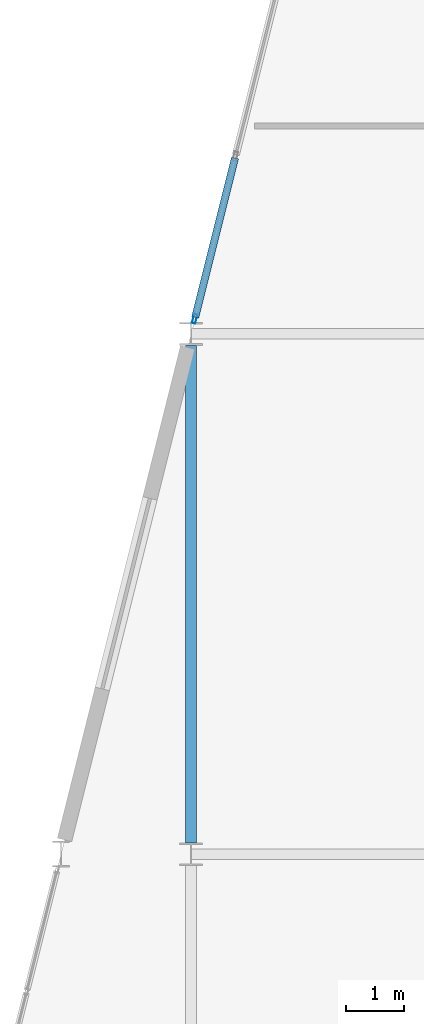
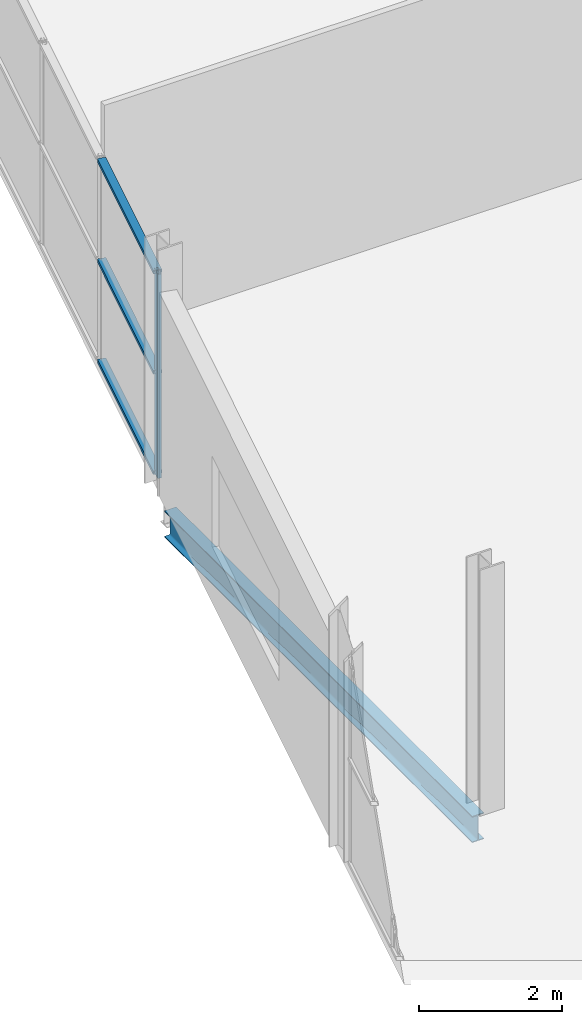
# One storey, part 16 of 88: 4 members, 1 beam, 1 element without a shape of its own.
"""IFC4 building model written with IfcOpenShell, lengths in metres."""

from ifc_helpers import new_model, si_unit, direction, frame, origin, origin_2d, place, context, subcontext, project, spatial, hollow_rectangle, i_section, extrude, material, layer, layer_set, material_profile, profile_set, type_object, element, aggregate, save


model = new_model("IFC4")

# Units and contexts
model_context = context("Model", 3, precision=1e-05, world=origin(), true_north=direction((0.0, 1.0)))
body_context = subcontext(model_context, "Body", "Model", "MODEL_VIEW")
ifc_project = project(units=[si_unit("LENGTHUNIT", "METRE"), si_unit("AREAUNIT", "SQUARE_METRE"), si_unit("VOLUMEUNIT", "CUBIC_METRE"), si_unit("PLANEANGLEUNIT", "RADIAN"), si_unit("MASSUNIT", "GRAM", prefix="KILO")], contexts=[model_context])

# Site, building, storey
site_placement = place(None, origin())
site = spatial("IfcSite", under=ifc_project, at=site_placement, CompositionType="ELEMENT")
building_placement = place(site_placement, origin())
building = spatial("IfcBuilding", under=site, at=building_placement, Name="Deido Ridge Mobility Hub", CompositionType="ELEMENT")
storey_placement = place(building_placement, frame((0.0, 0.0, 16.800048828125)))
storey = spatial("IfcBuildingStorey", under=building, at=storey_placement, Name="L04", CompositionType="ELEMENT", Elevation=16.800048828125)

# Beam
ifc_material_1 = material(Name="Steel S355J2 EN 10025-2", Category="steel")
ifc_material_profile_1 = material_profile(ifc_material_1, i_section(OverallWidth=0.18994140625, OverallDepth=0.449951171875, WebThickness=0.009521484375, FlangeThickness=0.0146484375, FilletRadius=0.02099609375, at=origin_2d()), Name="IPE 450")
ifc_profile_set_1 = profile_set([ifc_material_profile_1], Name="Steel S355J2 EN 10025-2")
beam_type = type_object("IfcBeamType", Name="BM-IPE450", PredefinedType="BEAM", material=ifc_profile_set_1)
beam_placement = place(storey_placement, frame((126.0, 9.196533203125, -0.5), z_axis=(0.0, 1.0, 0.0), x_axis=(-1.0, 0.0, 0.0)))
element("IfcBeam", 1, at=beam_placement, inside=storey, type_object=beam_type, Name="Floor beam B4", PredefinedType="BEAM", context=body_context, shape_type="SweptSolid", body=[
    extrude(i_section(OverallWidth=0.18994140625, OverallDepth=0.449951171875, WebThickness=0.009521484375, FlangeThickness=0.0146484375, FilletRadius=0.02099609375, at=origin_2d()), origin(), (0.0, 0.0, 1.0), 8.60693359375),
])

# Curtain wall, members
ifc_material_2 = material(Name="Anodised aluminium EN AW-6063 T6", Category="aluminium")
ifc_layer = layer(ifc_material_2, 0.2099609375, Name="Anodised aluminium EN AW-6063 T6")
ifc_layer_set = layer_set([ifc_layer], Name="Anodised aluminium EN AW-6063 T6")
curtain_wall_type = type_object("IfcCurtainWallType", Name="CW-UF-4", PredefinedType="USERDEFINED", material=ifc_layer_set)
curtain_wall_placement = place(storey_placement, origin())
curtain_wall = element("IfcCurtainWall", 2, at=curtain_wall_placement, inside=storey, type_object=curtain_wall_type, Name="Unitised curtain wall CW4", ObjectType="UNITISED FACADE", PredefinedType="USERDEFINED")
ifc_material_profile_2 = material_profile(ifc_material_2, hollow_rectangle(XDim=0.06005859375, YDim=0.159912109375, WallThickness=0.00390625, at=origin_2d()), Name="RHS 60x160x4")
ifc_profile_set_2 = profile_set([ifc_material_profile_2], Name="Anodised aluminium EN AW-6063 T6")
member_type_1 = type_object("IfcMemberType", Name="MEM-MUL-60X160", PredefinedType="MULLION", material=ifc_profile_set_2)
member_1_placement = place(storey_placement, frame((126.065185546875, 18.260986328125, 0.0), z_axis=(0.0, 0.0, 1.0), x_axis=(-0.97014383958, 0.242530267235, 0.0)))
member_1 = element("IfcMember", 3, at=member_1_placement, type_object=member_type_1, Name="CW4 mullion 1", PredefinedType="MULLION", context=body_context, shape_type="SweptSolid", body=[
    extrude(hollow_rectangle(XDim=0.06005859375, YDim=0.159912109375, WallThickness=0.00390625, at=origin_2d()), origin(), (0.0, 0.0, 1.0), 3.48486328125),
])
ifc_material_profile_3 = material_profile(ifc_material_2, hollow_rectangle(XDim=0.125, YDim=0.06005859375, WallThickness=0.00390625, at=origin_2d()), Name="RHS 125x60x4")
ifc_profile_set_3 = profile_set([ifc_material_profile_3], Name="Anodised aluminium EN AW-6063 T6")
member_type_2 = type_object("IfcMemberType", Name="MEM-TRN-125X60", PredefinedType="USERDEFINED", material=ifc_profile_set_3)
member_2_placement = place(storey_placement, frame((126.072509765625, 18.2900390625, 0.030029296875), z_axis=(0.242515382897, 0.970147560456, 0.0), x_axis=(-0.970147560456, 0.242515382897, 0.0)))
member_2 = element("IfcMember", 4, at=member_2_placement, type_object=member_type_2, Name="CW4 transom 1.1", ObjectType="TRANSOM", PredefinedType="USERDEFINED", context=body_context, shape_type="SweptSolid", body=[
    extrude(hollow_rectangle(XDim=0.125, YDim=0.06005859375, WallThickness=0.00390625, at=origin_2d()), origin(), (0.0, 0.0, 1.0), 2.837890625),
])
member_3_placement = place(storey_placement, frame((126.072509765625, 18.2900390625, 1.742431640625), z_axis=(0.242515382897, 0.970147560456, 0.0), x_axis=(-0.970147560456, 0.242515382897, 0.0)))
member_3 = element("IfcMember", 5, at=member_3_placement, type_object=member_type_2, Name="CW4 transom 1.2", ObjectType="TRANSOM", PredefinedType="USERDEFINED", context=body_context, shape_type="SweptSolid", body=[
    extrude(hollow_rectangle(XDim=0.125, YDim=0.06005859375, WallThickness=0.00390625, at=origin_2d()), origin(), (0.0, 0.0, 1.0), 2.837890625),
])
member_4_placement = place(storey_placement, frame((126.072509765625, 18.2900390625, 3.454833984375), z_axis=(0.242515382897, 0.970147560456, 0.0), x_axis=(-0.970147560456, 0.242515382897, 0.0)))
member_4 = element("IfcMember", 6, at=member_4_placement, type_object=member_type_2, Name="CW4 transom 1.3", ObjectType="TRANSOM", PredefinedType="USERDEFINED", context=body_context, shape_type="SweptSolid", body=[
    extrude(hollow_rectangle(XDim=0.125, YDim=0.06005859375, WallThickness=0.00390625, at=origin_2d()), origin(), (0.0, 0.0, 1.0), 2.837890625),
])
aggregate(curtain_wall, [member_1, member_2, member_3, member_4])

save(model, "model.ifc")
